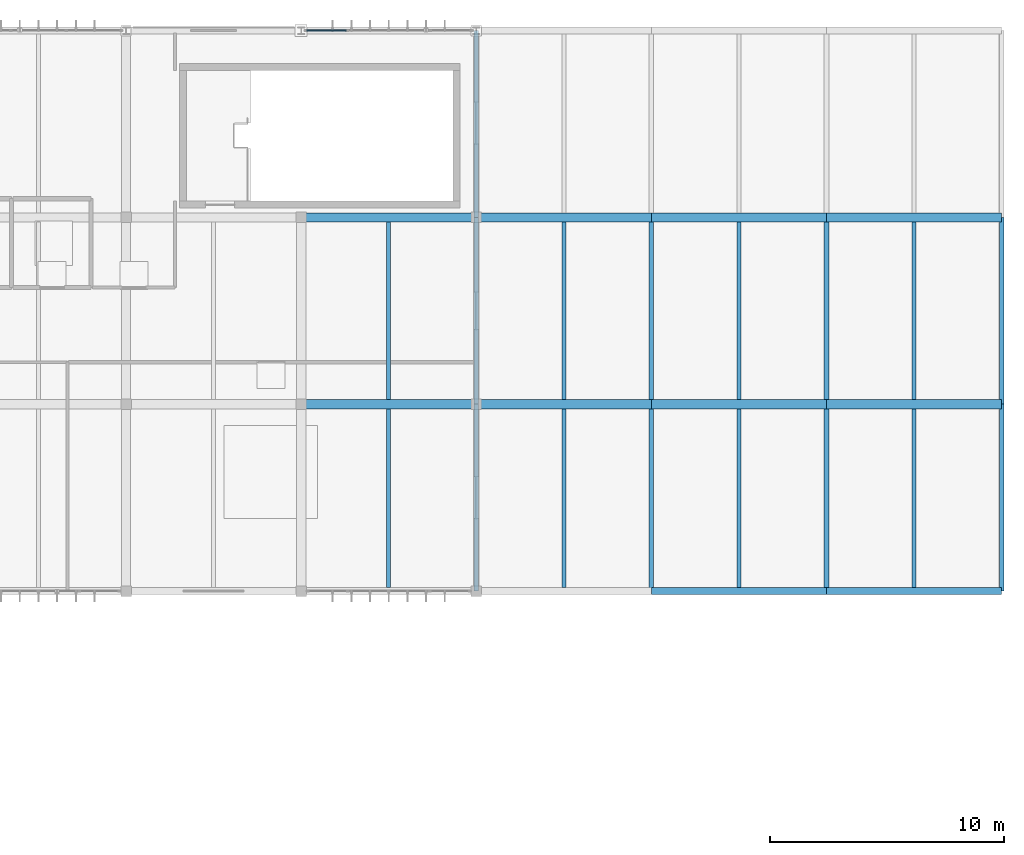
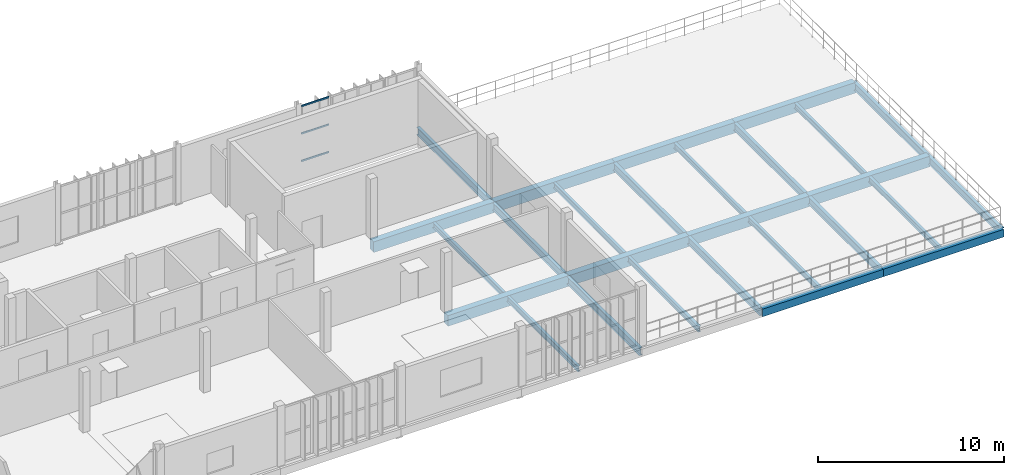
# One storey, part 15 of 26: 27 beams, 3 members, 1 element without a shape of its own.
"""IFC4 building model written with IfcOpenShell, lengths in metres."""

from ifc_helpers import new_model, si_unit, direction, frame, origin, origin_2d, place, context, subcontext, project, spatial, rectangle, i_section, extrude, material, material_profile, profile_set, type_object, element, aggregate, save


model = new_model("IFC4")

# Units and contexts
model_context = context("Model", 3, precision=1e-05, world=origin(), true_north=direction((0.0, 1.0)))
body_context = subcontext(model_context, "Body", "Model", "MODEL_VIEW")
ifc_project = project(units=[si_unit("LENGTHUNIT", "METRE"), si_unit("AREAUNIT", "SQUARE_METRE"), si_unit("VOLUMEUNIT", "CUBIC_METRE"), si_unit("PLANEANGLEUNIT", "RADIAN"), si_unit("MASSUNIT", "GRAM", prefix="KILO")], contexts=[model_context])

# Site, building, storey
site_placement = place(None, origin())
site = spatial("IfcSite", under=ifc_project, at=site_placement, CompositionType="ELEMENT")
building_placement = place(site_placement, origin())
building = spatial("IfcBuilding", under=site, at=building_placement, Name="Vourika Railside Aquatics Centre", CompositionType="ELEMENT")
storey_placement = place(building_placement, frame((0.0, 0.0, 17.699951171875)))
storey = spatial("IfcBuildingStorey", under=building, at=storey_placement, Name="L04", CompositionType="ELEMENT", Elevation=17.699951171875)

# Beams
ifc_material_1 = material(Name="Concrete C35/45", Category="concrete")
ifc_material_profile_1 = material_profile(ifc_material_1, rectangle(XDim=0.39990234375, YDim=0.699951171875, at=origin_2d()), Name="RC 400x700")
ifc_profile_set_1 = profile_set([ifc_material_profile_1], Name="Concrete C35/45")
beam_type_1 = type_object("IfcBeamType", Name="BM-GIRD-400x700", PredefinedType="BEAM", material=ifc_profile_set_1)
for number, where, z_axis, x_axis, name in (
    (1, (81.0, 100.0, -0.599853515625), (1.0, 0.0, 0.0), (0.0, 1.0, 0.0), "Floor Beam GX-L04-026"),
    (2, (88.5, 100.0, -0.599853515625), (1.0, 0.0, 0.0), (0.0, 1.0, 0.0), "Floor Beam GX-L04-027"),
    (3, (96.0, 100.0, -0.599853515625), (1.0, 0.0, 0.0), (0.0, 1.0, 0.0), "Floor Beam GX-L04-028"),
    (4, (103.5, 100.0, -0.599853515625), (1.0, 0.0, 0.0), (0.0, 1.0, 0.0), "Floor Beam GX-L04-029"),
    (5, (81.0, 108.0, -0.599853515625), (1.0, 0.0, 0.0), (0.0, 1.0, 0.0), "Floor Beam GX-L04-038"),
    (6, (88.5, 108.0, -0.599853515625), (1.0, 0.0, 0.0), (0.0, 1.0, 0.0), "Floor Beam GX-L04-039"),
    (7, (96.0, 108.0, -0.599853515625), (1.0, 0.0, 0.0), (0.0, 1.0, 0.0), "Floor Beam GX-L04-040"),
    (8, (103.5, 108.0, -0.599853515625), (1.0, 0.0, 0.0), (0.0, 1.0, 0.0), "Floor Beam GX-L04-041"),
):
    element("IfcBeam", number, at=place(storey_placement, frame(where, z_axis=z_axis, x_axis=x_axis)), inside=storey, type_object=beam_type_1, Name=name, PredefinedType="BEAM", context=body_context, shape_type="SweptSolid", body=[
        extrude(rectangle(XDim=0.39990234375, YDim=0.699951171875, at=origin_2d()), origin(), (0.0, 0.0, 1.0), 7.5),
    ])
ifc_material_profile_2 = material_profile(ifc_material_1, rectangle(XDim=0.300048828125, YDim=0.5, at=origin_2d()), Name="RC 300x500")
ifc_profile_set_2 = profile_set([ifc_material_profile_2], Name="Concrete C35/45")
beam_type_2 = type_object("IfcBeamType", Name="BM-SPAN-300x500", PredefinedType="SPANDREL", material=ifc_profile_set_2)
for number, where, z_axis, x_axis, name in (
    (9, (96.0, 92.0, -0.5), (1.0, 0.0, 0.0), (0.0, 1.0, 0.0), "Floor Beam GX-L04-016"),
    (10, (103.5, 92.0, -0.5), (1.0, 0.0, 0.0), (0.0, 1.0, 0.0), "Floor Beam GX-L04-017"),
):
    element("IfcBeam", number, at=place(storey_placement, frame(where, z_axis=z_axis, x_axis=x_axis)), inside=storey, type_object=beam_type_2, Name=name, PredefinedType="SPANDREL", context=body_context, shape_type="SweptSolid", body=[
        extrude(rectangle(XDim=0.300048828125, YDim=0.5, at=origin_2d()), origin(), (0.0, 0.0, 1.0), 7.5),
    ])
ifc_material_2 = material(Name="Steel S355J2", Category="steel")
ifc_material_profile_3 = material_profile(ifc_material_2, i_section(OverallWidth=0.169921875, OverallDepth=0.360107421875, WebThickness=0.008056640625, FlangeThickness=0.0126953125, at=origin_2d()), Name="IPE 360")
ifc_profile_set_3 = profile_set([ifc_material_profile_3], Name="Steel S355J2")
beam_type_3 = type_object("IfcBeamType", Name="BM-STL-IPE360", PredefinedType="JOIST", material=ifc_profile_set_3)
for number, where, z_axis, x_axis, name in (
    (11, (84.75, 92.14990234375, -0.419921875), (0.0, 1.0, 0.0), (-1.0, 0.0, 0.0), "Secondary Joist JY-L04-112"),
    (12, (92.25, 92.14990234375, -0.429931640625), (0.0, 1.0, 0.0), (-1.0, 0.0, 0.0), "Secondary Joist JY-L04-113"),
    (13, (99.75, 92.14990234375, -0.429931640625), (0.0, 1.0, 0.0), (-1.0, 0.0, 0.0), "Secondary Joist JY-L04-114"),
    (14, (107.25, 92.14990234375, -0.429931640625), (0.0, 1.0, 0.0), (-1.0, 0.0, 0.0), "Secondary Joist JY-L04-115"),
):
    element("IfcBeam", number, at=place(storey_placement, frame(where, z_axis=z_axis, x_axis=x_axis)), inside=storey, type_object=beam_type_3, Name=name, PredefinedType="JOIST", context=body_context, shape_type="SweptSolid", body=[
        extrude(i_section(OverallWidth=0.169921875, OverallDepth=0.360107421875, WebThickness=0.008056640625, FlangeThickness=0.0126953125, at=origin_2d()), origin(), (0.0, 0.0, 1.0), 7.650146484375),
    ])
for number, where, z_axis, x_axis, name in (
    (15, (84.75, 100.199951171875, -0.419921875), (0.0, 1.0, 0.0), (-1.0, 0.0, 0.0), "Secondary Joist JY-L04-124"),
    (16, (92.25, 100.199951171875, -0.429931640625), (0.0, 1.0, 0.0), (-1.0, 0.0, 0.0), "Secondary Joist JY-L04-125"),
    (17, (99.75, 100.199951171875, -0.429931640625), (0.0, 1.0, 0.0), (-1.0, 0.0, 0.0), "Secondary Joist JY-L04-126"),
    (18, (107.25, 100.199951171875, -0.429931640625), (0.0, 1.0, 0.0), (-1.0, 0.0, 0.0), "Secondary Joist JY-L04-127"),
):
    element("IfcBeam", number, at=place(storey_placement, frame(where, z_axis=z_axis, x_axis=x_axis)), inside=storey, type_object=beam_type_3, Name=name, PredefinedType="JOIST", context=body_context, shape_type="SweptSolid", body=[
        extrude(i_section(OverallWidth=0.169921875, OverallDepth=0.360107421875, WebThickness=0.008056640625, FlangeThickness=0.0126953125, at=origin_2d()), origin(), (0.0, 0.0, 1.0), 7.60009765625),
    ])
ifc_material_profile_4 = material_profile(ifc_material_2, i_section(OverallWidth=0.199951171875, OverallDepth=0.5, WebThickness=0.01025390625, FlangeThickness=0.01611328125, at=origin_2d()), Name="IPE 500")
ifc_profile_set_4 = profile_set([ifc_material_profile_4], Name="Steel S355J2")
beam_type_4 = type_object("IfcBeamType", Name="BM-STL-IPE500", PredefinedType="BEAM", material=ifc_profile_set_4)
for number, where, z_axis, x_axis, name in (
    (19, (88.5, 92.0, -0.5), (0.0, 1.0, 0.0), (-1.0, 0.0, 0.0), "Floor Girder GY-L04-087"),
    (20, (88.5, 100.0, -0.5), (0.0, 1.0, 0.0), (-1.0, 0.0, 0.0), "Floor Girder GY-L04-088"),
    (21, (88.5, 108.0, -0.5), (0.0, 1.0, 0.0), (-1.0, 0.0, 0.0), "Floor Girder GY-L04-089"),
    (22, (96.0, 92.0, -0.5), (0.0, 1.0, 0.0), (-1.0, 0.0, 0.0), "Floor Girder GY-L04-090"),
    (23, (96.0, 100.0, -0.5), (0.0, 1.0, 0.0), (-1.0, 0.0, 0.0), "Floor Girder GY-L04-091"),
    (24, (103.5, 92.0, -0.5), (0.0, 1.0, 0.0), (-1.0, 0.0, 0.0), "Floor Girder GY-L04-093"),
    (25, (103.5, 100.0, -0.5), (0.0, 1.0, 0.0), (-1.0, 0.0, 0.0), "Floor Girder GY-L04-094"),
    (26, (111.0, 92.0, -0.5), (0.0, 1.0, 0.0), (-1.0, 0.0, 0.0), "Floor Girder GY-L04-096"),
    (27, (111.0, 100.0, -0.5), (0.0, 1.0, 0.0), (-1.0, 0.0, 0.0), "Floor Girder GY-L04-097"),
):
    element("IfcBeam", number, at=place(storey_placement, frame(where, z_axis=z_axis, x_axis=x_axis)), inside=storey, type_object=beam_type_4, Name=name, PredefinedType="BEAM", context=body_context, shape_type="SweptSolid", body=[
        extrude(i_section(OverallWidth=0.199951171875, OverallDepth=0.5, WebThickness=0.01025390625, FlangeThickness=0.01611328125, at=origin_2d()), origin(), (0.0, 0.0, 1.0), 8.0),
    ])

# Curtain wall, members
ifc_material_3 = material(Name="Anodized thermally broken aluminium", Category="aluminium")
curtain_wall_type = type_object("IfcCurtainWallType", Name="CW-FIT4", PredefinedType="NOTDEFINED", material=ifc_material_3)
curtain_wall_placement = place(storey_placement, origin())
curtain_wall = element("IfcCurtainWall", 28, at=curtain_wall_placement, inside=storey, type_object=curtain_wall_type, Name="North Boulevard Curtain Wall L04-9", PredefinedType="NOTDEFINED")
ifc_material_4 = material(Name="Anodized aluminium transom", Category="aluminium")
ifc_material_profile_5 = material_profile(ifc_material_4, rectangle(XDim=0.054931640625, YDim=0.10595703125, at=origin_2d()), Name="ALU-T 55x106")
ifc_profile_set_5 = profile_set([ifc_material_profile_5], Name="Anodized aluminium transom")
member_type = type_object("IfcMemberType", Name="CWT-FIT4", PredefinedType="USERDEFINED", material=ifc_profile_set_5)
member_1_placement = place(storey_placement, frame((82.9375, 116.0, 0.027587890625), z_axis=(-1.0, 0.0, 0.0), x_axis=(0.0, -1.0, 0.0)))
member_1 = element("IfcMember", 29, at=member_1_placement, type_object=member_type, Name="CW18 transom 4.1", ObjectType="TRANSOM", PredefinedType="USERDEFINED", context=body_context, shape_type="SweptSolid", body=[
    extrude(rectangle(XDim=0.054931640625, YDim=0.10595703125, at=origin_2d()), origin(), (0.0, 0.0, 1.0), 1.702392578125),
])
member_2_placement = place(storey_placement, frame((82.9375, 116.0, 1.8349609375), z_axis=(-1.0, 0.0, 0.0), x_axis=(0.0, -1.0, 0.0)))
member_2 = element("IfcMember", 30, at=member_2_placement, type_object=member_type, Name="CW18 transom 4.2", ObjectType="TRANSOM", PredefinedType="USERDEFINED", context=body_context, shape_type="SweptSolid", body=[
    extrude(rectangle(XDim=0.054931640625, YDim=0.10595703125, at=origin_2d()), origin(), (0.0, 0.0, 1.0), 1.702392578125),
])
member_3_placement = place(storey_placement, frame((82.9375, 116.0, 3.642578125), z_axis=(-1.0, 0.0, 0.0), x_axis=(0.0, -1.0, 0.0)))
member_3 = element("IfcMember", 31, at=member_3_placement, type_object=member_type, Name="CW18 transom 4.3", ObjectType="TRANSOM", PredefinedType="USERDEFINED", context=body_context, shape_type="SweptSolid", body=[
    extrude(rectangle(XDim=0.054931640625, YDim=0.10595703125, at=origin_2d()), origin(), (0.0, 0.0, 1.0), 1.702392578125),
])
aggregate(curtain_wall, [member_1, member_2, member_3])

save(model, "model.ifc")
